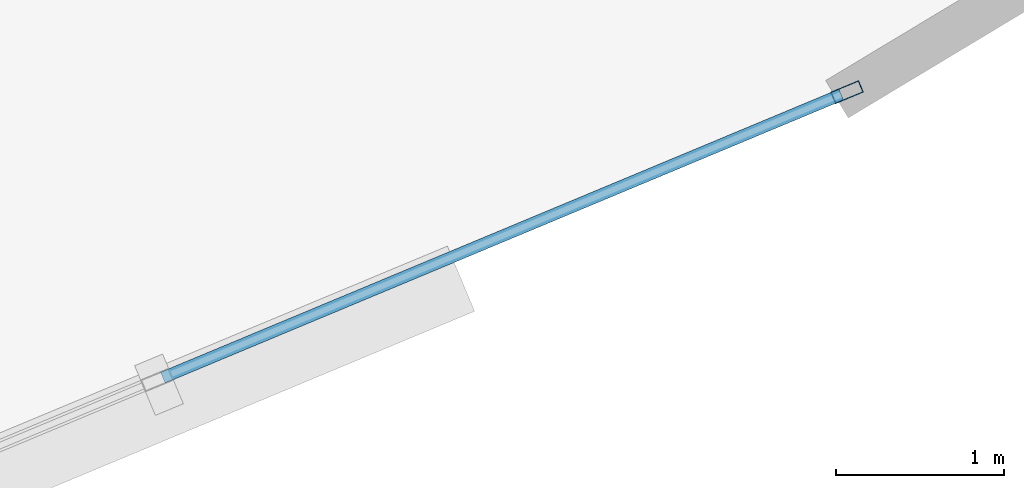
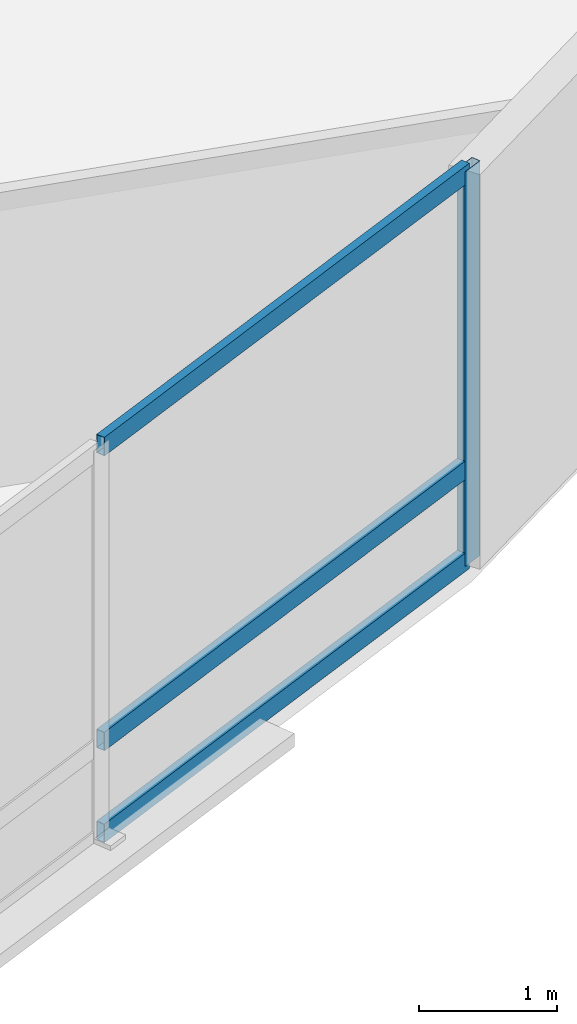
# One storey, part 10 of 18: 4 members, 1 element without a shape of its own.
"""IFC4 building model written with IfcOpenShell, lengths in metres."""

from ifc_helpers import new_model, si_unit, direction, frame, origin, origin_2d, place, context, subcontext, project, spatial, hollow_rectangle, extrude, material, layer, layer_set, material_profile, profile_set, type_object, element, aggregate, save


model = new_model("IFC4")

# Units and contexts
model_context = context("Model", 3, precision=1e-05, world=origin(), true_north=direction((0.0, 1.0)))
body_context = subcontext(model_context, "Body", "Model", "MODEL_VIEW")
ifc_project = project(units=[si_unit("LENGTHUNIT", "METRE"), si_unit("AREAUNIT", "SQUARE_METRE"), si_unit("VOLUMEUNIT", "CUBIC_METRE"), si_unit("PLANEANGLEUNIT", "RADIAN"), si_unit("MASSUNIT", "GRAM", prefix="KILO")], contexts=[model_context])

# Site, building, storey
site_placement = place(None, origin())
site = spatial("IfcSite", under=ifc_project, at=site_placement, CompositionType="ELEMENT")
building_placement = place(site_placement, origin())
building = spatial("IfcBuilding", under=site, at=building_placement, Name="Menara Vayukalpa", CompositionType="ELEMENT")
storey_placement = place(building_placement, frame((0.0, 0.0, 165.47998046875)))
storey = spatial("IfcBuildingStorey", under=building, at=storey_placement, Name="L41", CompositionType="ELEMENT", Elevation=165.47998046875)

# Curtain wall, members
ifc_material_1 = material(Name="Anodised Terracotta Aluminium Alloy 6063-T6", Category="masonry")
ifc_layer = layer(ifc_material_1, 0.179931640625)
ifc_layer_set = layer_set([ifc_layer], Name="Anodised Terracotta Aluminium Alloy 6063-T6")
curtain_wall_type = type_object("IfcCurtainWallType", Name="CW-CW4", PredefinedType="USERDEFINED", material=ifc_layer_set)
curtain_wall_placement = place(storey_placement, origin())
curtain_wall = element("IfcCurtainWall", 1, at=curtain_wall_placement, inside=storey, type_object=curtain_wall_type, Name="L41 Sky Bar Cantilever Glazed Curtain Wall CW4 17", ObjectType="UNITISED", PredefinedType="USERDEFINED")
ifc_material_2 = material(Name="Anodised Terracotta Aluminium Alloy 6063-T6", Category="masonry")
ifc_material_profile_1 = material_profile(ifc_material_2, hollow_rectangle(XDim=0.074951171875, YDim=0.179931640625, WallThickness=0.00390625, at=origin_2d()), Name="ALU 75x180x4")
ifc_profile_set_1 = profile_set([ifc_material_profile_1], Name="Anodised Terracotta Aluminium Alloy 6063-T6")
member_type_1 = type_object("IfcMemberType", Name="CWM-CW4", PredefinedType="MULLION", material=ifc_profile_set_1)
member_1_placement = place(storey_placement, frame((46.20068359375, 14.960205078125, 0.0), z_axis=(0.0, 0.0, 1.0), x_axis=(-0.385091352437, 0.922878459104, 0.0)))
member_1 = element("IfcMember", 2, at=member_1_placement, type_object=member_type_1, Name="CW4 mullion 3", PredefinedType="MULLION", context=body_context, shape_type="SweptSolid", body=[
    extrude(hollow_rectangle(XDim=0.074951171875, YDim=0.179931640625, WallThickness=0.00390625, at=origin_2d()), origin(), (0.0, 0.0, 1.0), 3.5),
])
ifc_material_3 = material(Name="Anodised Terracotta Aluminium Alloy 6063-T6", Category="masonry")
ifc_material_profile_2 = material_profile(ifc_material_3, hollow_rectangle(XDim=0.070068359375, YDim=0.1650390625, WallThickness=0.00390625, at=origin_2d()), Name="ALU 70x165x4")
ifc_profile_set_2 = profile_set([ifc_material_profile_2], Name="Anodised Terracotta Aluminium Alloy 6063-T6")
member_type_2 = type_object("IfcMemberType", Name="CWT-CW4", PredefinedType="USERDEFINED", material=ifc_profile_set_2)
member_2_placement = place(storey_placement, frame((42.133056640625, 13.262939453125, 0.034912109375), z_axis=(0.9228767989, 0.385095331123, 0.0), x_axis=(-0.385095331123, 0.9228767989, 0.0)))
member_2 = element("IfcMember", 3, at=member_2_placement, type_object=member_type_2, Name="CW4 transom 2.1", ObjectType="TRANSOM", PredefinedType="USERDEFINED", context=body_context, shape_type="SweptSolid", body=[
    extrude(hollow_rectangle(XDim=0.070068359375, YDim=0.1650390625, WallThickness=0.00390625, at=origin_2d()), origin(), (0.0, 0.0, 1.0), 4.369873046875),
])
member_3_placement = place(storey_placement, frame((42.133056640625, 13.262939453125, 0.85009765625), z_axis=(0.9228767989, 0.385095331123, 0.0), x_axis=(-0.385095331123, 0.9228767989, 0.0)))
member_3 = element("IfcMember", 4, at=member_3_placement, type_object=member_type_2, Name="CW4 transom 2.2", ObjectType="TRANSOM", PredefinedType="USERDEFINED", context=body_context, shape_type="SweptSolid", body=[
    extrude(hollow_rectangle(XDim=0.070068359375, YDim=0.1650390625, WallThickness=0.00390625, at=origin_2d()), origin(), (0.0, 0.0, 1.0), 4.369873046875),
])
member_4_placement = place(storey_placement, frame((42.133056640625, 13.262939453125, 3.465087890625), z_axis=(0.9228767989, 0.385095331123, 0.0), x_axis=(-0.385095331123, 0.9228767989, 0.0)))
member_4 = element("IfcMember", 5, at=member_4_placement, type_object=member_type_2, Name="CW4 transom 2.3", ObjectType="TRANSOM", PredefinedType="USERDEFINED", context=body_context, shape_type="SweptSolid", body=[
    extrude(hollow_rectangle(XDim=0.070068359375, YDim=0.1650390625, WallThickness=0.00390625, at=origin_2d()), origin(), (0.0, 0.0, 1.0), 4.369873046875),
])
aggregate(curtain_wall, [member_1, member_2, member_3, member_4])

save(model, "model.ifc")
